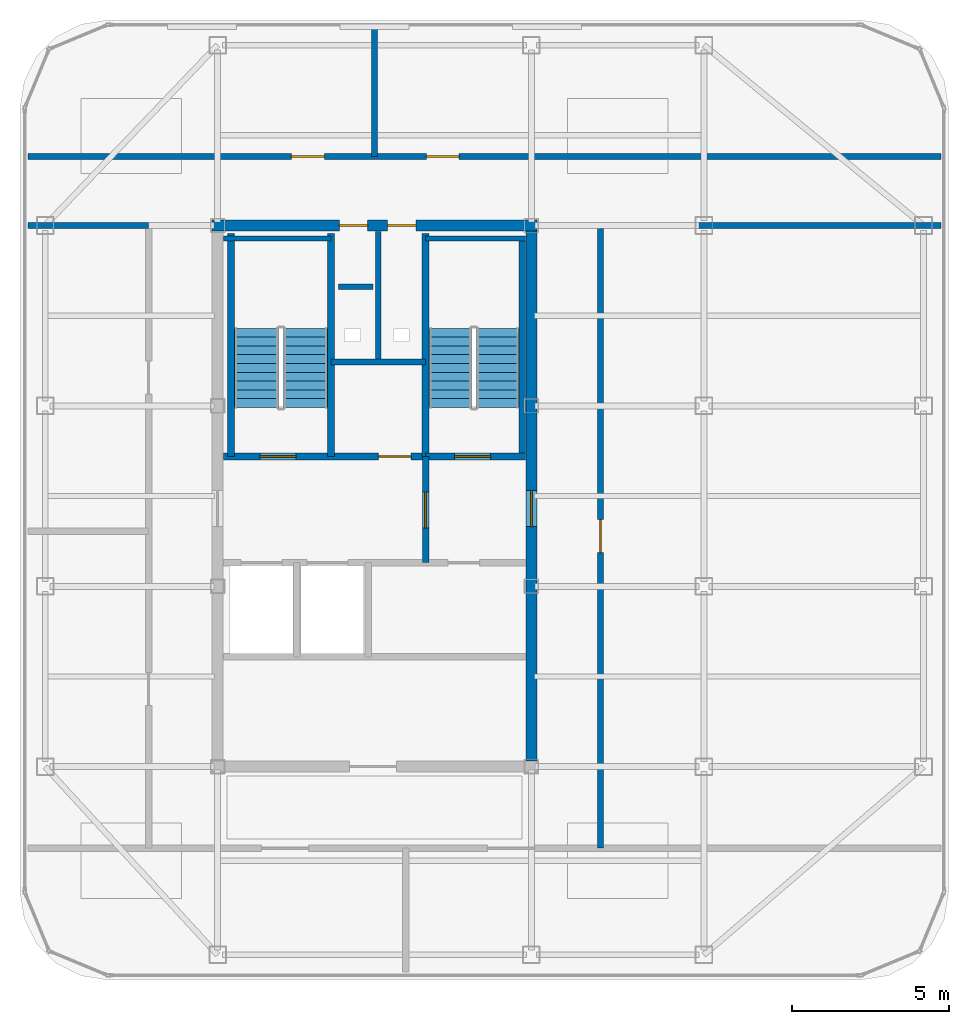
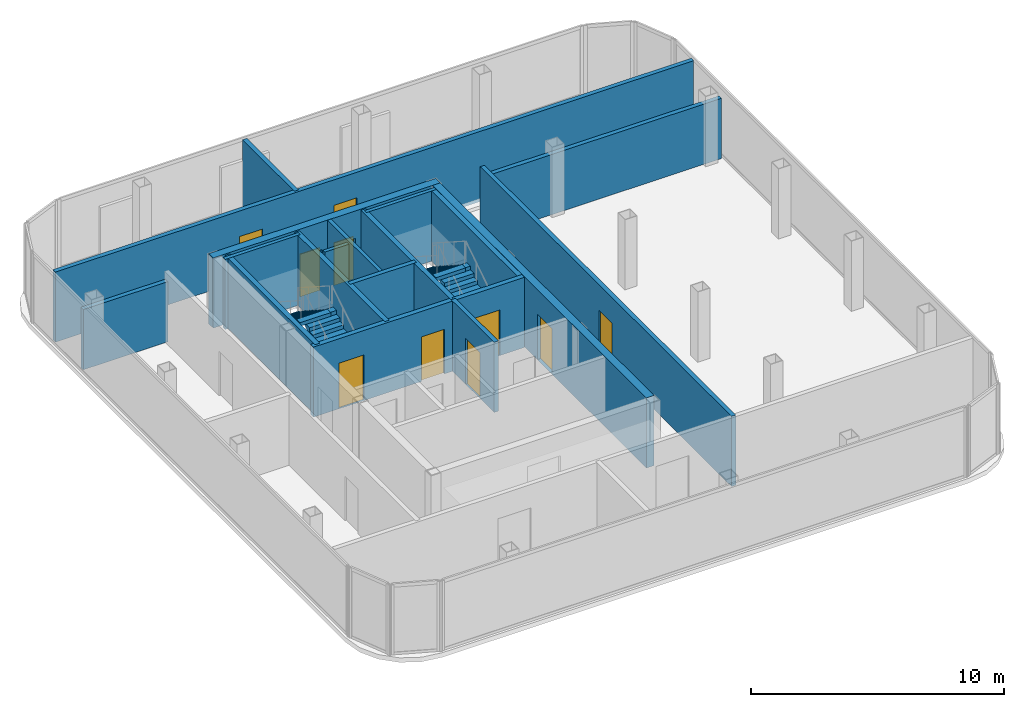
# One storey, part 10 of 11: 19 walls, 10 doors, 4 stair flights, 10 openings, 2 elements without a shape of their own.
"""IFC4 building model written with IfcOpenShell, lengths in metres."""

from ifc_helpers import new_model, si_unit, direction, frame, frame_2d, origin, place, context, subcontext, project, spatial, polyline, rectangle, outline, extrude, material, layer, layer_set, type_object, element, fill, aggregate, save


model = new_model("IFC4")

# Units and contexts
model_context = context("Model", 3, precision=1e-05, world=origin(), true_north=direction((0.0, 1.0)))
body_context = subcontext(model_context, "Body", "Model", "MODEL_VIEW")
ifc_project = project(units=[si_unit("LENGTHUNIT", "METRE"), si_unit("AREAUNIT", "SQUARE_METRE"), si_unit("VOLUMEUNIT", "CUBIC_METRE"), si_unit("PLANEANGLEUNIT", "RADIAN"), si_unit("MASSUNIT", "GRAM", prefix="KILO")], contexts=[model_context])

# Site, building, storey
site_placement = place(None, origin())
site = spatial("IfcSite", under=ifc_project, at=site_placement, CompositionType="ELEMENT")
building_placement = place(site_placement, origin())
building = spatial("IfcBuilding", under=site, at=building_placement, Name="Kolveth Station Tower", CompositionType="ELEMENT")
storey_placement = place(building_placement, frame((0.0, 0.0, 282.10009765625)))
storey = spatial("IfcBuildingStorey", under=building, at=storey_placement, Name="L81", CompositionType="ELEMENT", Elevation=282.10009765625)

# Wall, openings, doors
ifc_material_1 = material(Name="Concrete C50/60", Category="concrete")
ifc_layer_1 = layer(ifc_material_1, 0.35009765625)
ifc_layer_set_1 = layer_set([ifc_layer_1], Name="Concrete C50/60")
wall_type_1 = type_object("IfcWallType", Name="Wall_CW-350", PredefinedType="SHEAR", material=ifc_layer_set_1)
wall_1_placement = place(storey_placement, frame((18.324951171875, 28.75, 0.0), z_axis=(0.0, 0.0, 1.0), x_axis=(1.0, 0.0, 0.0)))
wall_1 = element("IfcWall", 1, at=wall_1_placement, inside=storey, type_object=wall_type_1, Name="L81 Core RC Shear Wall N", PredefinedType="SHEAR", context=body_context, shape_type="SweptSolid", body=[
    extrude(rectangle(XDim=10.35009765625, YDim=0.35009765625, at=frame_2d((5.175048828125, 0.0))), origin(), (0.0, 0.0, 1.0), 3.3798828125),
])
opening_1_placement = place(wall_1_placement, frame((4.054931640625, 0.0, 0.0)))
opening_1 = element("IfcOpeningElement", 2, at=opening_1_placement, cuts=wall_1, Name="Opening RD1", PredefinedType="OPENING", context=body_context, shape_type="SweptSolid", body=[
    extrude(rectangle(XDim=0.89990234375, YDim=2.050048828125, at=frame_2d((0.449951171875, 1.02490234375))), frame((0.0, 0.18505859375, 0.0), z_axis=(0.0, -1.0, 0.0), x_axis=(1.0, 0.0, 0.0)), (0.0, 0.0, 1.0), 0.3701171875),
])
opening_2_placement = place(wall_1_placement, frame((5.594970703125, 0.0, 0.0)))
opening_2 = element("IfcOpeningElement", 3, at=opening_2_placement, cuts=wall_1, Name="Opening RD1", PredefinedType="OPENING", context=body_context, shape_type="SweptSolid", body=[
    extrude(rectangle(XDim=0.89990234375, YDim=2.050048828125, at=frame_2d((0.449951171875, 1.02490234375))), frame((0.0, 0.18505859375, 0.0), z_axis=(0.0, -1.0, 0.0), x_axis=(1.0, 0.0, 0.0)), (0.0, 0.0, 1.0), 0.3701171875),
])
ifc_material_2 = material(Name="Fire-rated Steel S355 riser access leaf", Category="steel")
door_type_1 = type_object("IfcDoorType", Name="Door_RD1", OperationType="NOTDEFINED", PredefinedType="DOOR", material=ifc_material_2)
door_1_placement = place(opening_1_placement, origin())
door_1 = element("IfcDoor", 4, at=door_1_placement, inside=storey, type_object=door_type_1, Name="L81 Electrical Riser Access Door", OperationType="SINGLE_SWING_LEFT", OverallHeight=2.050048828125, OverallWidth=0.89990234375, PredefinedType="DOOR", context=body_context, shape_type="SweptSolid", body=[
    extrude(rectangle(XDim=0.89990234375, YDim=2.050048828125, at=frame_2d((0.449951171875, 1.02490234375))), frame((0.0, 0.02490234375, 0.0), z_axis=(0.0, -1.0, 0.0), x_axis=(1.0, 0.0, 0.0)), (0.0, 0.0, 1.0), 0.050048828125),
])
fill(opening_1, door_1)
door_2_placement = place(opening_2_placement, origin())
door_2 = element("IfcDoor", 5, at=door_2_placement, inside=storey, type_object=door_type_1, Name="L81 Smoke Duct Access Door", OperationType="SINGLE_SWING_RIGHT", OverallHeight=2.050048828125, OverallWidth=0.89990234375, PredefinedType="DOOR", context=body_context, shape_type="SweptSolid", body=[
    extrude(rectangle(XDim=0.89990234375, YDim=2.050048828125, at=frame_2d((0.449951171875, 1.02490234375))), frame((0.0, 0.02490234375, 0.0), z_axis=(0.0, -1.0, 0.0), x_axis=(1.0, 0.0, 0.0)), (0.0, 0.0, 1.0), 0.050048828125),
])
fill(opening_2, door_2)

# Wall, opening, door
wall_2_placement = place(storey_placement, frame((28.5, 11.675048828125, 0.0), z_axis=(0.0, 0.0, 1.0), x_axis=(0.0, 1.0, 0.0)))
wall_2 = element("IfcWall", 6, at=wall_2_placement, inside=storey, type_object=wall_type_1, Name="L81 Core RC Shear Wall E", PredefinedType="SHEAR", context=body_context, shape_type="SweptSolid", body=[
    extrude(rectangle(XDim=16.89990234375, YDim=0.35009765625, at=frame_2d((8.449951171875, 0.0))), origin(), (0.0, 0.0, 1.0), 3.3798828125),
])
opening_3_placement = place(wall_2_placement, frame((7.47509765625, 0.0, 0.0)))
opening_3 = element("IfcOpeningElement", 7, at=opening_3_placement, cuts=wall_2, Name="Opening FD1", PredefinedType="OPENING", context=body_context, shape_type="SweptSolid", body=[
    extrude(rectangle(XDim=1.14990234375, YDim=2.199951171875, at=frame_2d((0.574951171875, 1.10009765625))), frame((0.0, 0.18505859375, 0.0), z_axis=(0.0, -1.0, 0.0), x_axis=(1.0, 0.0, 0.0)), (0.0, 0.0, 1.0), 0.3701171875),
])
ifc_material_3 = material(Name="Fire-rated Steel S355 leaf and frame", Category="steel")
door_type_2 = type_object("IfcDoorType", Name="Door_FD1", OperationType="NOTDEFINED", PredefinedType="DOOR", material=ifc_material_3)
door_3_placement = place(opening_3_placement, origin())
door_3 = element("IfcDoor", 8, at=door_3_placement, inside=storey, type_object=door_type_2, Name="L81 East Corridor to Stair Lobby Door", OperationType="SINGLE_SWING_LEFT", OverallHeight=2.199951171875, OverallWidth=1.14990234375, PredefinedType="DOOR", context=body_context, shape_type="SweptSolid", body=[
    extrude(rectangle(XDim=1.14990234375, YDim=2.199951171875, at=frame_2d((0.574951171875, 1.10009765625))), frame((0.0, 0.02490234375, 0.0), z_axis=(0.0, -1.0, 0.0), x_axis=(1.0, 0.0, 0.0)), (0.0, 0.0, 1.0), 0.050048828125),
])
fill(opening_3, door_3)

# Walls
ifc_material_4 = material(Name="Acoustic double-stud gypsum partition")
ifc_layer_2 = layer(ifc_material_4, 0.1650390625)
ifc_layer_set_2 = layer_set([ifc_layer_2], Name="Acoustic double-stud gypsum partition")
wall_type_2 = type_object("IfcWallType", Name="Wall_IW-165", PredefinedType="PARTITIONING", material=ifc_layer_set_2)
wall_3_placement = place(storey_placement, frame((18.68505859375, 28.3349609375, 0.0), z_axis=(0.0, 0.0, 1.0), x_axis=(1.0, 0.0, 0.0)))
element("IfcWall", 9, at=wall_3_placement, inside=storey, type_object=wall_type_2, Name="L81 Stair Shaft Wall WL-L81-ST1-N", PredefinedType="PARTITIONING", context=body_context, shape_type="SweptSolid", body=[
    extrude(rectangle(XDim=3.425048828125, YDim=0.1650390625, at=frame_2d((1.71240234375, 0.0))), origin(), (0.0, 0.0, 1.0), 3.3798828125),
])
wall_4_placement = place(storey_placement, frame((25.1298828125, 28.3349609375, 0.0), z_axis=(0.0, 0.0, 1.0), x_axis=(1.0, 0.0, 0.0)))
element("IfcWall", 10, at=wall_4_placement, inside=storey, type_object=wall_type_2, Name="L81 Stair Shaft Wall WL-L81-ST2-N", PredefinedType="PARTITIONING", context=body_context, shape_type="SweptSolid", body=[
    extrude(rectangle(XDim=3.18505859375, YDim=0.1650390625, at=frame_2d((1.592529296875, 0.0))), origin(), (0.0, 0.0, 1.0), 3.3798828125),
])
wall_5_placement = place(storey_placement, frame((23.6201171875, 24.39990234375, 0.0), z_axis=(0.0, 0.0, 1.0), x_axis=(0.0, 1.0, 0.0)))
element("IfcWall", 11, at=wall_5_placement, inside=storey, type_object=wall_type_2, Name="L81 Partition Wall WL-L81-RSR-M", PredefinedType="PARTITIONING", context=body_context, shape_type="SweptSolid", body=[
    extrude(rectangle(XDim=4.1650390625, YDim=0.1650390625, at=frame_2d((2.08251953125, 0.0))), origin(), (0.0, 0.0, 1.0), 3.3798828125),
])
wall_6_placement = place(storey_placement, frame((22.35009765625, 26.800048828125, 0.0), z_axis=(0.0, 0.0, 1.0), x_axis=(1.0, 0.0, 0.0)))
element("IfcWall", 12, at=wall_6_placement, inside=storey, type_object=wall_type_2, Name="L81 Acoustic Riser Dry-Lining Wall", PredefinedType="PARTITIONING", context=body_context, shape_type="SweptSolid", body=[
    extrude(rectangle(XDim=1.099853515625, YDim=0.1650390625, at=frame_2d((0.5498046875, 0.0))), origin(), (0.0, 0.0, 1.0), 3.3798828125),
])
ifc_material_5 = material(Name="Acoustic fire-rated gypsum blockwork", Category="masonry")
ifc_layer_3 = layer(ifc_material_5, 0.199951171875)
ifc_layer_set_3 = layer_set([ifc_layer_3], Name="Acoustic fire-rated gypsum blockwork")
wall_type_3 = type_object("IfcWallType", Name="Wall_IW-200", PredefinedType="PARTITIONING", material=ifc_layer_set_3)
wall_7_placement = place(storey_placement, frame((22.110107421875, 24.39990234375, 0.0), z_axis=(0.0, 0.0, 1.0), x_axis=(1.0, 0.0, 0.0)))
element("IfcWall", 13, at=wall_7_placement, inside=storey, type_object=wall_type_3, Name="L81 Partition Wall WL-L81-RSR-S", PredefinedType="PARTITIONING", context=body_context, shape_type="SweptSolid", body=[
    extrude(rectangle(XDim=3.019775390625, YDim=0.199951171875, at=frame_2d((1.509765625, 0.0))), origin(), (0.0, 0.0, 1.0), 3.3798828125),
])

# Wall, opening, door
wall_8_placement = place(storey_placement, frame((25.1298828125, 18.0, 0.0), z_axis=(0.0, 0.0, 1.0), x_axis=(0.0, 1.0, 0.0)))
wall_8 = element("IfcWall", 14, at=wall_8_placement, inside=storey, type_object=wall_type_3, Name="L81 Partition Wall WL-L81-FFL-E", PredefinedType="PARTITIONING", context=body_context, shape_type="SweptSolid", body=[
    extrude(rectangle(XDim=3.389892578125, YDim=0.199951171875, at=frame_2d((1.69482421875, 0.0))), origin(), (0.0, 0.0, 1.0), 3.3798828125),
])
opening_4_placement = place(wall_8_placement, frame((1.10009765625, 0.0, 0.0)))
opening_4 = element("IfcOpeningElement", 15, at=opening_4_placement, cuts=wall_8, Name="Opening FD1", PredefinedType="OPENING", context=body_context, shape_type="SweptSolid", body=[
    extrude(rectangle(XDim=1.14990234375, YDim=2.199951171875, at=frame_2d((0.574951171875, 1.10009765625))), frame((0.0, 0.10986328125, 0.0), z_axis=(0.0, -1.0, 0.0), x_axis=(1.0, 0.0, 0.0)), (0.0, 0.0, 1.0), 0.219970703125),
])
door_4_placement = place(opening_4_placement, origin())
door_4 = element("IfcDoor", 16, at=door_4_placement, inside=storey, type_object=door_type_2, Name="L81 Firefighting to Stair Lobby Door", OperationType="SINGLE_SWING_LEFT", OverallHeight=2.199951171875, OverallWidth=1.14990234375, PredefinedType="DOOR", context=body_context, shape_type="SweptSolid", body=[
    extrude(rectangle(XDim=1.14990234375, YDim=2.199951171875, at=frame_2d((0.574951171875, 1.10009765625))), frame((0.0, 0.02490234375, 0.0), z_axis=(0.0, -1.0, 0.0), x_axis=(1.0, 0.0, 0.0)), (0.0, 0.0, 1.0), 0.050048828125),
])
fill(opening_4, door_4)

# Wall, openings, doors
wall_9_placement = place(storey_placement, frame((12.449951171875, 30.949951171875, 0.0), z_axis=(0.0, 0.0, 1.0), x_axis=(1.0, 0.0, 0.0)))
wall_9 = element("IfcWall", 17, at=wall_9_placement, inside=storey, type_object=wall_type_3, Name="L81 Partition Wall WL-L81-PR-N", PredefinedType="PARTITIONING", context=body_context, shape_type="SweptSolid", body=[
    extrude(rectangle(XDim=29.10009765625, YDim=0.199951171875, at=frame_2d((14.550048828125, 0.0))), origin(), (0.0, 0.0, 1.0), 3.3798828125),
])
opening_5_placement = place(wall_9_placement, frame((8.39990234375, 0.0, 0.0)))
opening_5 = element("IfcOpeningElement", 18, at=opening_5_placement, cuts=wall_9, Name="Opening FD2", PredefinedType="OPENING", context=body_context, shape_type="SweptSolid", body=[
    extrude(rectangle(XDim=1.050048828125, YDim=2.14990234375, at=frame_2d((0.52490234375, 1.074951171875))), frame((0.0, 0.10986328125, 0.0), z_axis=(0.0, -1.0, 0.0), x_axis=(1.0, 0.0, 0.0)), (0.0, 0.0, 1.0), 0.219970703125),
])
opening_6_placement = place(wall_9_placement, frame((12.699951171875, 0.0, 0.0)))
opening_6 = element("IfcOpeningElement", 19, at=opening_6_placement, cuts=wall_9, Name="Opening FD2", PredefinedType="OPENING", context=body_context, shape_type="SweptSolid", body=[
    extrude(rectangle(XDim=1.050048828125, YDim=2.14990234375, at=frame_2d((0.52490234375, 1.074951171875))), frame((0.0, 0.10986328125, 0.0), z_axis=(0.0, -1.0, 0.0), x_axis=(1.0, 0.0, 0.0)), (0.0, 0.0, 1.0), 0.219970703125),
])
door_type_3 = type_object("IfcDoorType", Name="Door_FD2", OperationType="NOTDEFINED", PredefinedType="DOOR", material=ifc_material_3)
door_5_placement = place(opening_5_placement, origin())
door_5 = element("IfcDoor", 20, at=door_5_placement, inside=storey, type_object=door_type_3, Name="L81 Water Tank Room Door", OperationType="SINGLE_SWING_LEFT", OverallHeight=2.14990234375, OverallWidth=1.050048828125, PredefinedType="DOOR", context=body_context, shape_type="SweptSolid", body=[
    extrude(rectangle(XDim=1.050048828125, YDim=2.14990234375, at=frame_2d((0.52490234375, 1.074951171875))), frame((0.0, 0.02490234375, 0.0), z_axis=(0.0, -1.0, 0.0), x_axis=(1.0, 0.0, 0.0)), (0.0, 0.0, 1.0), 0.050048828125),
])
fill(opening_5, door_5)
door_6_placement = place(opening_6_placement, origin())
door_6 = element("IfcDoor", 21, at=door_6_placement, inside=storey, type_object=door_type_3, Name="L81 Elevator Machine Plant Room Door", OperationType="SINGLE_SWING_RIGHT", OverallHeight=2.14990234375, OverallWidth=1.050048828125, PredefinedType="DOOR", context=body_context, shape_type="SweptSolid", body=[
    extrude(rectangle(XDim=1.050048828125, YDim=2.14990234375, at=frame_2d((0.52490234375, 1.074951171875))), frame((0.0, 0.02490234375, 0.0), z_axis=(0.0, -1.0, 0.0), x_axis=(1.0, 0.0, 0.0)), (0.0, 0.0, 1.0), 0.050048828125),
])
fill(opening_6, door_6)

# Wall, opening, door
wall_10_placement = place(storey_placement, frame((30.699951171875, 8.89990234375, 0.0), z_axis=(0.0, 0.0, 1.0), x_axis=(0.0, 1.0, 0.0)))
wall_10 = element("IfcWall", 22, at=wall_10_placement, inside=storey, type_object=wall_type_3, Name="L81 Partition Wall WL-L81-PR-E", PredefinedType="PARTITIONING", context=body_context, shape_type="SweptSolid", body=[
    extrude(rectangle(XDim=19.85009765625, YDim=0.199951171875, at=frame_2d((9.925048828125, 0.0))), origin(), (0.0, 0.0, 1.0), 3.3798828125),
])
opening_7_placement = place(wall_10_placement, frame((9.425048828125, 0.0, 0.0)))
opening_7 = element("IfcOpeningElement", 23, at=opening_7_placement, cuts=wall_10, Name="Opening FD2", PredefinedType="OPENING", context=body_context, shape_type="SweptSolid", body=[
    extrude(rectangle(XDim=1.050048828125, YDim=2.14990234375, at=frame_2d((0.52490234375, 1.074951171875))), frame((0.0, 0.10986328125, 0.0), z_axis=(0.0, -1.0, 0.0), x_axis=(1.0, 0.0, 0.0)), (0.0, 0.0, 1.0), 0.219970703125),
])
door_7_placement = place(opening_7_placement, origin())
door_7 = element("IfcDoor", 24, at=door_7_placement, inside=storey, type_object=door_type_3, Name="L81 Medium Voltage Switchgear Room Door", OperationType="SINGLE_SWING_LEFT", OverallHeight=2.14990234375, OverallWidth=1.050048828125, PredefinedType="DOOR", context=body_context, shape_type="SweptSolid", body=[
    extrude(rectangle(XDim=1.050048828125, YDim=2.14990234375, at=frame_2d((0.52490234375, 1.074951171875))), frame((0.0, 0.02490234375, 0.0), z_axis=(0.0, -1.0, 0.0), x_axis=(1.0, 0.0, 0.0)), (0.0, 0.0, 1.0), 0.050048828125),
])
fill(opening_7, door_7)

# Walls
wall_11_placement = place(storey_placement, frame((12.449951171875, 28.75, 0.0), z_axis=(0.0, 0.0, 1.0), x_axis=(1.0, 0.0, 0.0)))
element("IfcWall", 25, at=wall_11_placement, inside=storey, type_object=wall_type_3, Name="L81 Partition Wall WL-L81-CR-WN", PredefinedType="PARTITIONING", context=body_context, shape_type="SweptSolid", body=[
    extrude(rectangle(XDim=3.85009765625, YDim=0.199951171875, at=frame_2d((1.925048828125, 0.0))), origin(), (0.0, 0.0, 1.0), 2.90478515625),
])
wall_12_placement = place(storey_placement, frame((30.699951171875, 28.75, 0.0), z_axis=(0.0, 0.0, 1.0), x_axis=(1.0, 0.0, 0.0)))
element("IfcWall", 26, at=wall_12_placement, inside=storey, type_object=wall_type_3, Name="L81 Partition Wall WL-L81-CR-EN", PredefinedType="PARTITIONING", context=body_context, shape_type="SweptSolid", body=[
    extrude(rectangle(XDim=10.85009765625, YDim=0.199951171875, at=frame_2d((5.425048828125, 0.0))), origin(), (0.0, 0.0, 1.0), 2.90478515625),
])
wall_13_placement = place(storey_placement, frame((23.5, 30.949951171875, 0.0), z_axis=(0.0, 0.0, 1.0), x_axis=(0.0, 1.0, 0.0)))
element("IfcWall", 27, at=wall_13_placement, inside=storey, type_object=wall_type_3, Name="L81 Partition Wall WL-L81-CN-P1", PredefinedType="PARTITIONING", context=body_context, shape_type="SweptSolid", body=[
    extrude(rectangle(XDim=4.10009765625, YDim=0.199951171875, at=frame_2d((2.050048828125, 0.0))), origin(), (0.0, 0.0, 1.0), 3.3798828125),
])
ifc_material_6 = material(Name="Concrete C40/50", Category="concrete")
ifc_layer_4 = layer(ifc_material_6, 0.219970703125)
ifc_layer_set_4 = layer_set([ifc_layer_4], Name="Concrete C40/50")
wall_type_4 = type_object("IfcWallType", Name="Wall_IW-220", PredefinedType="SOLIDWALL", material=ifc_layer_set_4)
for number, where, z_axis, x_axis, name in (
    (28, (18.929931640625, 21.389892578125, 0.0), (0.0, 0.0, 1.0), (0.0, 1.0, 0.0), "L81 Stair Shaft Wall WL-L81-ST1-W"),
    (29, (22.110107421875, 21.389892578125, 0.0), (0.0, 0.0, 1.0), (0.0, 1.0, 0.0), "L81 Stair Shaft Wall WL-L81-ST1-E"),
    (30, (25.1298828125, 21.389892578125, 0.0), (0.0, 0.0, 1.0), (0.0, 1.0, 0.0), "L81 Stair Shaft Wall WL-L81-ST2-W"),
):
    element("IfcWall", number, at=place(storey_placement, frame(where, z_axis=z_axis, x_axis=x_axis)), inside=storey, type_object=wall_type_4, Name=name, PredefinedType="SOLIDWALL", context=body_context, shape_type="SweptSolid", body=[
        extrude(rectangle(XDim=7.110107421875, YDim=0.219970703125, at=frame_2d((3.55517578125, 0.0))), origin(), (0.0, 0.0, 1.0), 3.3798828125),
    ])
wall_14_placement = place(storey_placement, frame((28.2099609375, 21.389892578125, 0.0), z_axis=(0.0, 0.0, 1.0), x_axis=(0.0, 1.0, 0.0)))
element("IfcWall", 31, at=wall_14_placement, inside=storey, type_object=wall_type_4, Name="L81 Stair Shaft Wall WL-L81-ST2-E", PredefinedType="SOLIDWALL", context=body_context, shape_type="SweptSolid", body=[
    extrude(rectangle(XDim=6.945068359375, YDim=0.219970703125, at=frame_2d((3.47265625, 0.0))), origin(), (0.0, 0.0, 1.0), 3.3798828125),
])

# Wall, openings, doors
wall_15_placement = place(storey_placement, frame((18.68505859375, 21.389892578125, 0.0), z_axis=(0.0, 0.0, 1.0), x_axis=(1.0, 0.0, 0.0)))
wall_15 = element("IfcWall", 32, at=wall_15_placement, inside=storey, type_object=wall_type_4, Name="L81 Stair Shaft Wall WL-L81-ST1-S", PredefinedType="SOLIDWALL", context=body_context, shape_type="SweptSolid", body=[
    extrude(rectangle(XDim=6.44482421875, YDim=0.219970703125, at=frame_2d((3.222412109375, 0.0))), origin(), (0.0, 0.0, 1.0), 3.3798828125),
])
opening_8_placement = place(wall_15_placement, frame((1.1650390625, 0.0, 0.0)))
opening_8 = element("IfcOpeningElement", 33, at=opening_8_placement, cuts=wall_15, Name="Opening FD1", PredefinedType="OPENING", context=body_context, shape_type="SweptSolid", body=[
    extrude(rectangle(XDim=1.14990234375, YDim=2.199951171875, at=frame_2d((0.574951171875, 1.10009765625))), frame((0.0, 0.119873046875, 0.0), z_axis=(0.0, -1.0, 0.0), x_axis=(1.0, 0.0, 0.0)), (0.0, 0.0, 1.0), 0.239990234375),
])
opening_9_placement = place(wall_15_placement, frame((4.93505859375, 0.0, 0.0)))
opening_9 = element("IfcOpeningElement", 34, at=opening_9_placement, cuts=wall_15, Name="Opening FD2", PredefinedType="OPENING", context=body_context, shape_type="SweptSolid", body=[
    extrude(rectangle(XDim=1.050048828125, YDim=2.14990234375, at=frame_2d((0.52490234375, 1.074951171875))), frame((0.0, 0.119873046875, 0.0), z_axis=(0.0, -1.0, 0.0), x_axis=(1.0, 0.0, 0.0)), (0.0, 0.0, 1.0), 0.239990234375),
])
door_8_placement = place(opening_8_placement, frame((1.14990234375, 0.0, 0.0), z_axis=(0.0, 0.0, 1.0), x_axis=(-1.0, 0.0, 0.0)))
door_8 = element("IfcDoor", 35, at=door_8_placement, inside=storey, type_object=door_type_2, Name="L81 Stair ST1 Fire Door", OperationType="SINGLE_SWING_RIGHT", OverallHeight=2.199951171875, OverallWidth=1.14990234375, PredefinedType="DOOR", context=body_context, shape_type="SweptSolid", body=[
    extrude(rectangle(XDim=1.14990234375, YDim=2.199951171875, at=frame_2d((0.574951171875, 1.10009765625))), frame((0.0, 0.02490234375, 0.0), z_axis=(0.0, -1.0, 0.0), x_axis=(1.0, 0.0, 0.0)), (0.0, 0.0, 1.0), 0.050048828125),
])
fill(opening_8, door_8)
door_9_placement = place(opening_9_placement, origin())
door_9 = element("IfcDoor", 36, at=door_9_placement, inside=storey, type_object=door_type_3, Name="L81 Crown Control Room Door", OperationType="SINGLE_SWING_RIGHT", OverallHeight=2.14990234375, OverallWidth=1.050048828125, PredefinedType="DOOR", context=body_context, shape_type="SweptSolid", body=[
    extrude(rectangle(XDim=1.050048828125, YDim=2.14990234375, at=frame_2d((0.52490234375, 1.074951171875))), frame((0.0, 0.02490234375, 0.0), z_axis=(0.0, -1.0, 0.0), x_axis=(1.0, 0.0, 0.0)), (0.0, 0.0, 1.0), 0.050048828125),
])
fill(opening_9, door_9)

# Wall, opening, door
wall_16_placement = place(storey_placement, frame((25.1298828125, 21.389892578125, 0.0), z_axis=(0.0, 0.0, 1.0), x_axis=(1.0, 0.0, 0.0)))
wall_16 = element("IfcWall", 37, at=wall_16_placement, inside=storey, type_object=wall_type_4, Name="L81 Stair Shaft Wall WL-L81-ST2-S", PredefinedType="SOLIDWALL", context=body_context, shape_type="SweptSolid", body=[
    extrude(rectangle(XDim=3.18505859375, YDim=0.219970703125, at=frame_2d((1.592529296875, 0.0))), origin(), (0.0, 0.0, 1.0), 3.3798828125),
])
opening_10_placement = place(wall_16_placement, frame((0.919921875, 0.0, 0.0)))
opening_10 = element("IfcOpeningElement", 38, at=opening_10_placement, cuts=wall_16, Name="Opening FD1", PredefinedType="OPENING", context=body_context, shape_type="SweptSolid", body=[
    extrude(rectangle(XDim=1.14990234375, YDim=2.199951171875, at=frame_2d((0.574951171875, 1.10009765625))), frame((0.0, 0.119873046875, 0.0), z_axis=(0.0, -1.0, 0.0), x_axis=(1.0, 0.0, 0.0)), (0.0, 0.0, 1.0), 0.239990234375),
])
door_10_placement = place(opening_10_placement, frame((1.14990234375, 0.0, 0.0), z_axis=(0.0, 0.0, 1.0), x_axis=(-1.0, 0.0, 0.0)))
door_10 = element("IfcDoor", 39, at=door_10_placement, inside=storey, type_object=door_type_2, Name="L81 Stair ST2 Fire Door", OperationType="SINGLE_SWING_LEFT", OverallHeight=2.199951171875, OverallWidth=1.14990234375, PredefinedType="DOOR", context=body_context, shape_type="SweptSolid", body=[
    extrude(rectangle(XDim=1.14990234375, YDim=2.199951171875, at=frame_2d((0.574951171875, 1.10009765625))), frame((0.0, 0.02490234375, 0.0), z_axis=(0.0, -1.0, 0.0), x_axis=(1.0, 0.0, 0.0)), (0.0, 0.0, 1.0), 0.050048828125),
])
fill(opening_10, door_10)

# Stair, stair flights
stair_type_1 = type_object("IfcStairType", Name="Stair_ST1", PredefinedType="HALF_TURN_STAIR", material=ifc_material_6)
stair_1_placement = place(storey_placement, origin())
stair_1 = element("IfcStair", 40, at=stair_1_placement, inside=storey, type_object=stair_type_1, Name="L81 Tower Exit Stair ST1", PredefinedType="HALF_TURN_STAIR")
ifc_layer_5 = layer(ifc_material_6, 0.179931640625)
ifc_layer_set_5 = layer_set([ifc_layer_5], Name="Concrete C40/50")
stair_flight_type_1 = type_object("IfcStairFlightType", Name="Flight_ST1", PredefinedType="STRAIGHT", material=ifc_layer_set_5)
stair_flight_1_placement = place(storey_placement, frame((21.300048828125, 22.949951171875, 0.0), z_axis=(0.0, 0.0, 1.0), x_axis=(0.0, 1.0, 0.0)))
stair_flight_1 = element("IfcStairFlight", 41, at=stair_flight_1_placement, type_object=stair_flight_type_1, Name="ST1 flight 1", NumberOfRisers=10, NumberOfTreads=9, PredefinedType="STRAIGHT", RiserHeight=0.18, TreadLength=0.28, context=body_context, shape_type="SweptSolid", body=[
    extrude(outline(polyline([(0.0, 0.0), (0.0, 0.179931640625), (0.280029296875, 0.179931640625), (0.280029296875, 0.360107421875), (0.56005859375, 0.360107421875), (0.56005859375, 0.5400390625), (0.840087890625, 0.5400390625), (0.840087890625, 0.719970703125), (1.1201171875, 0.719970703125), (1.1201171875, 0.89990234375), (1.39990234375, 0.89990234375), (1.39990234375, 1.080078125), (1.679931640625, 1.080078125), (1.679931640625, 1.260009765625), (1.9599609375, 1.260009765625), (1.9599609375, 1.43994140625), (2.239990234375, 1.43994140625), (2.239990234375, 1.6201171875), (2.52001953125, 1.6201171875), (2.52001953125, 1.800048828125), (2.52001953125, 1.44189453125), (0.277099609375, 0.0), (0.0, 0.0)])), frame((0.0, 0.699951171875, 0.0), z_axis=(0.0, -1.0, 0.0), x_axis=(1.0, 0.0, 0.0)), (0.0, 0.0, 1.0), 1.39990234375),
])
stair_flight_2_placement = place(storey_placement, frame((19.739990234375, 25.469970703125, 1.7998046875), z_axis=(0.0, 0.0, 1.0), x_axis=(0.0, -1.0, 0.0)))
stair_flight_2 = element("IfcStairFlight", 42, at=stair_flight_2_placement, type_object=stair_flight_type_1, Name="ST1 flight 2", NumberOfRisers=10, NumberOfTreads=9, PredefinedType="STRAIGHT", RiserHeight=0.18, TreadLength=0.28, context=body_context, shape_type="SweptSolid", body=[
    extrude(outline(polyline([(0.0, 0.0), (0.0, 0.179931640625), (0.280029296875, 0.179931640625), (0.280029296875, 0.360107421875), (0.56005859375, 0.360107421875), (0.56005859375, 0.5400390625), (0.840087890625, 0.5400390625), (0.840087890625, 0.719970703125), (1.1201171875, 0.719970703125), (1.1201171875, 0.89990234375), (1.39990234375, 0.89990234375), (1.39990234375, 1.080078125), (1.679931640625, 1.080078125), (1.679931640625, 1.260009765625), (1.9599609375, 1.260009765625), (1.9599609375, 1.43994140625), (2.239990234375, 1.43994140625), (2.239990234375, 1.6201171875), (2.52001953125, 1.6201171875), (2.52001953125, 1.800048828125), (2.52001953125, 1.44189453125), (0.277099609375, 0.0), (0.0, 0.0)])), frame((0.0, 0.699951171875, 0.0), z_axis=(0.0, -1.0, 0.0), x_axis=(1.0, 0.0, 0.0)), (0.0, 0.0, 1.0), 1.39990234375),
])
aggregate(stair_1, [stair_flight_1, stair_flight_2])

stair_type_2 = type_object("IfcStairType", Name="Stair_ST2", PredefinedType="HALF_TURN_STAIR", material=ifc_material_6)
stair_2_placement = place(storey_placement, origin())
stair_2 = element("IfcStair", 43, at=stair_2_placement, inside=storey, type_object=stair_type_2, Name="L81 Tower Exit Stair ST2", PredefinedType="HALF_TURN_STAIR")
ifc_layer_6 = layer(ifc_material_6, 0.179931640625)
ifc_layer_set_6 = layer_set([ifc_layer_6], Name="Concrete C40/50")
stair_flight_type_2 = type_object("IfcStairFlightType", Name="Flight_ST2", PredefinedType="STRAIGHT", material=ifc_layer_set_6)
stair_flight_3_placement = place(storey_placement, frame((27.425048828125, 22.949951171875, 0.0), z_axis=(0.0, 0.0, 1.0), x_axis=(0.0, 1.0, 0.0)))
stair_flight_3 = element("IfcStairFlight", 44, at=stair_flight_3_placement, type_object=stair_flight_type_2, Name="ST2 flight 1", NumberOfRisers=10, NumberOfTreads=9, PredefinedType="STRAIGHT", RiserHeight=0.18, TreadLength=0.28, context=body_context, shape_type="SweptSolid", body=[
    extrude(outline(polyline([(0.0, 0.0), (0.0, 0.179931640625), (0.280029296875, 0.179931640625), (0.280029296875, 0.360107421875), (0.56005859375, 0.360107421875), (0.56005859375, 0.5400390625), (0.840087890625, 0.5400390625), (0.840087890625, 0.719970703125), (1.1201171875, 0.719970703125), (1.1201171875, 0.89990234375), (1.39990234375, 0.89990234375), (1.39990234375, 1.080078125), (1.679931640625, 1.080078125), (1.679931640625, 1.260009765625), (1.9599609375, 1.260009765625), (1.9599609375, 1.43994140625), (2.239990234375, 1.43994140625), (2.239990234375, 1.6201171875), (2.52001953125, 1.6201171875), (2.52001953125, 1.800048828125), (2.52001953125, 1.44189453125), (0.277099609375, 0.0), (0.0, 0.0)])), frame((0.0, 0.675048828125, 0.0), z_axis=(0.0, -1.0, 0.0), x_axis=(1.0, 0.0, 0.0)), (0.0, 0.0, 1.0), 1.35009765625),
])
stair_flight_4_placement = place(storey_placement, frame((25.9150390625, 25.469970703125, 1.7998046875), z_axis=(0.0, 0.0, 1.0), x_axis=(0.0, -1.0, 0.0)))
stair_flight_4 = element("IfcStairFlight", 45, at=stair_flight_4_placement, type_object=stair_flight_type_2, Name="ST2 flight 2", NumberOfRisers=10, NumberOfTreads=9, PredefinedType="STRAIGHT", RiserHeight=0.18, TreadLength=0.28, context=body_context, shape_type="SweptSolid", body=[
    extrude(outline(polyline([(0.0, 0.0), (0.0, 0.179931640625), (0.280029296875, 0.179931640625), (0.280029296875, 0.360107421875), (0.56005859375, 0.360107421875), (0.56005859375, 0.5400390625), (0.840087890625, 0.5400390625), (0.840087890625, 0.719970703125), (1.1201171875, 0.719970703125), (1.1201171875, 0.89990234375), (1.39990234375, 0.89990234375), (1.39990234375, 1.080078125), (1.679931640625, 1.080078125), (1.679931640625, 1.260009765625), (1.9599609375, 1.260009765625), (1.9599609375, 1.43994140625), (2.239990234375, 1.43994140625), (2.239990234375, 1.6201171875), (2.52001953125, 1.6201171875), (2.52001953125, 1.800048828125), (2.52001953125, 1.44189453125), (0.277099609375, 0.0), (0.0, 0.0)])), frame((0.0, 0.675048828125, 0.0), z_axis=(0.0, -1.0, 0.0), x_axis=(1.0, 0.0, 0.0)), (0.0, 0.0, 1.0), 1.35009765625),
])
aggregate(stair_2, [stair_flight_3, stair_flight_4])

save(model, "model.ifc")
